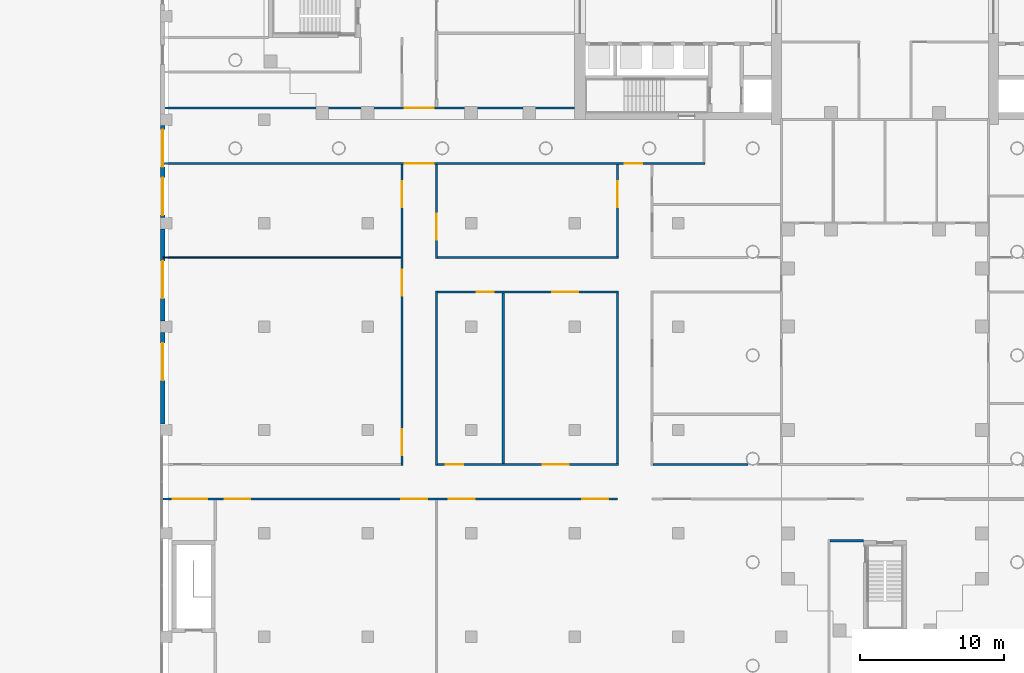
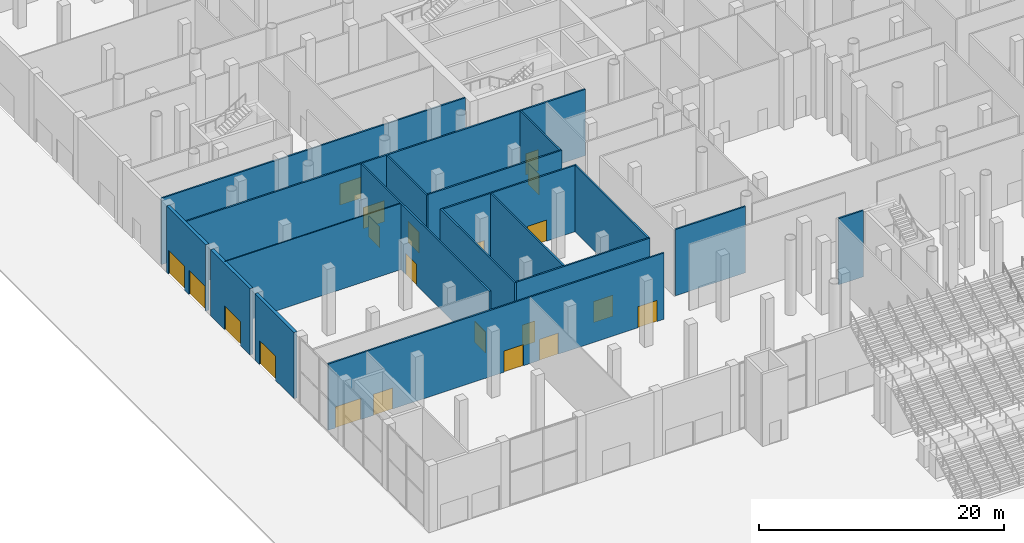
# One storey, part 16 of 44: 21 doors, 18 walls, 21 openings.
"""IFC4 building model written with IfcOpenShell, lengths in metres."""

from ifc_helpers import new_model, si_unit, direction, frame, frame_2d, origin, place, context, subcontext, project, spatial, rectangle, extrude, material, layer, layer_set, type_object, element, fill, save


model = new_model("IFC4")

# Units and contexts
model_context = context("Model", 3, precision=1e-05, world=origin(), true_north=direction((0.0, 1.0)))
body_context = subcontext(model_context, "Body", "Model", "MODEL_VIEW")
ifc_project = project(units=[si_unit("LENGTHUNIT", "METRE"), si_unit("AREAUNIT", "SQUARE_METRE"), si_unit("VOLUMEUNIT", "CUBIC_METRE"), si_unit("PLANEANGLEUNIT", "RADIAN"), si_unit("MASSUNIT", "GRAM", prefix="KILO")], contexts=[model_context])

# Site, building, storey
site_placement = place(None, origin())
site = spatial("IfcSite", under=ifc_project, at=site_placement, CompositionType="ELEMENT")
building_placement = place(site_placement, origin())
building = spatial("IfcBuilding", under=site, at=building_placement, Name="Fustian Cross Tower", CompositionType="ELEMENT")
storey_placement = place(building_placement, origin())
storey = spatial("IfcBuildingStorey", under=building, at=storey_placement, Name="L00", CompositionType="ELEMENT", Elevation=0.0)

# Wall, openings, doors
ifc_material_1 = material(Name="Plasterboard on steel stud", Category="steel")
ifc_layer_1 = layer(ifc_material_1, 0.14990234375)
ifc_layer_set_1 = layer_set([ifc_layer_1], Name="Plasterboard on steel stud")
wall_type_1 = type_object("IfcWallType", Name="COMPARTMENT WALL 150 EI 60", PredefinedType="PARTITIONING", material=ifc_layer_set_1)
wall_1_placement = place(storey_placement, frame((-50.219970703125, -33.60009765625, 0.0), z_axis=(0.0, 0.0, 1.0), x_axis=(1.0, 0.0, 0.0)))
wall_1 = element("IfcWall", 1, at=wall_1_placement, inside=storey, type_object=wall_type_1, Name="Partition 1", PredefinedType="PARTITIONING", context=body_context, shape_type="SweptSolid", body=[
    extrude(rectangle(XDim=31.619873046875, YDim=0.14990234375, at=frame_2d((15.81005859375, 0.0))), origin(), (0.0, 0.0, 1.0), 6.60009765625),
])
opening_1_placement = place(wall_1_placement, frame((0.669921875, 0.0, 0.0)))
opening_1 = element("IfcOpeningElement", 2, at=opening_1_placement, cuts=wall_1, Name="Opening D02032", PredefinedType="OPENING", context=body_context, shape_type="SweptSolid", body=[
    extrude(rectangle(XDim=2.39990234375, YDim=2.10009765625, at=frame_2d((1.199951171875, 1.050048828125))), frame((0.0, 0.0849609375, 0.0), z_axis=(0.0, -1.0, 0.0), x_axis=(1.0, 0.0, 0.0)), (0.0, 0.0, 1.0), 0.169921875),
])
opening_2_placement = place(wall_1_placement, frame((19.8701171875, 0.0, 0.0)))
opening_2 = element("IfcOpeningElement", 3, at=opening_2_placement, cuts=wall_1, Name="Opening D02112", PredefinedType="OPENING", context=body_context, shape_type="SweptSolid", body=[
    extrude(rectangle(XDim=1.800048828125, YDim=2.10009765625, at=frame_2d((0.89990234375, 1.050048828125))), frame((0.0, 0.0849609375, 0.0), z_axis=(0.0, -1.0, 0.0), x_axis=(1.0, 0.0, 0.0)), (0.0, 0.0, 1.0), 0.169921875),
])
opening_3_placement = place(wall_1_placement, frame((29.169921875, 0.0, 0.0)))
opening_3 = element("IfcOpeningElement", 4, at=opening_3_placement, cuts=wall_1, Name="Opening D02113", PredefinedType="OPENING", context=body_context, shape_type="SweptSolid", body=[
    extrude(rectangle(XDim=1.800048828125, YDim=2.10009765625, at=frame_2d((0.89990234375, 1.050048828125))), frame((0.0, 0.0849609375, 0.0), z_axis=(0.0, -1.0, 0.0), x_axis=(1.0, 0.0, 0.0)), (0.0, 0.0, 1.0), 0.169921875),
])
opening_4_placement = place(wall_1_placement, frame((4.27001953125, 0.0, 0.0)))
opening_4 = element("IfcOpeningElement", 5, at=opening_4_placement, cuts=wall_1, Name="Opening D02114", PredefinedType="OPENING", context=body_context, shape_type="SweptSolid", body=[
    extrude(rectangle(XDim=1.800048828125, YDim=2.10009765625, at=frame_2d((0.89990234375, 1.050048828125))), frame((0.0, 0.0849609375, 0.0), z_axis=(0.0, -1.0, 0.0), x_axis=(1.0, 0.0, 0.0)), (0.0, 0.0, 1.0), 0.169921875),
])
opening_5_placement = place(wall_1_placement, frame((16.570068359375, 0.0, 0.0)))
opening_5 = element("IfcOpeningElement", 6, at=opening_5_placement, cuts=wall_1, Name="Opening D02115", PredefinedType="OPENING", context=body_context, shape_type="SweptSolid", body=[
    extrude(rectangle(XDim=1.800048828125, YDim=2.10009765625, at=frame_2d((0.89990234375, 1.050048828125))), frame((0.0, 0.0849609375, 0.0), z_axis=(0.0, -1.0, 0.0), x_axis=(1.0, 0.0, 0.0)), (0.0, 0.0, 1.0), 0.169921875),
])
ifc_material_2 = material(Name="Timber fire door set", Category="wood")
door_type_1 = type_object("IfcDoorType", Name="FIRE DOUBLE DOOR 1800 FD30S", OperationType="DOUBLE_DOOR_DOUBLE_SWING", PredefinedType="DOOR", material=ifc_material_2)
door_1_placement = place(opening_2_placement, origin())
door_1 = element("IfcDoor", 7, at=door_1_placement, inside=storey, type_object=door_type_1, Name="Door D02112", OperationType="DOUBLE_DOOR_DOUBLE_SWING", OverallHeight=2.10009765625, OverallWidth=1.800048828125, PredefinedType="DOOR", context=body_context, shape_type="SweptSolid", body=[
    extrude(rectangle(XDim=1.800048828125, YDim=2.10009765625, at=frame_2d((0.89990234375, 1.050048828125))), frame((0.0, 0.02490234375, 0.0), z_axis=(0.0, -1.0, 0.0), x_axis=(1.0, 0.0, 0.0)), (0.0, 0.0, 1.0), 0.050048828125),
])
fill(opening_2, door_1)
door_2_placement = place(opening_3_placement, origin())
door_2 = element("IfcDoor", 8, at=door_2_placement, inside=storey, type_object=door_type_1, Name="Door D02113", OperationType="DOUBLE_DOOR_DOUBLE_SWING", OverallHeight=2.10009765625, OverallWidth=1.800048828125, PredefinedType="DOOR", context=body_context, shape_type="SweptSolid", body=[
    extrude(rectangle(XDim=1.800048828125, YDim=2.10009765625, at=frame_2d((0.89990234375, 1.050048828125))), frame((0.0, 0.02490234375, 0.0), z_axis=(0.0, -1.0, 0.0), x_axis=(1.0, 0.0, 0.0)), (0.0, 0.0, 1.0), 0.050048828125),
])
fill(opening_3, door_2)
door_3_placement = place(opening_4_placement, origin())
door_3 = element("IfcDoor", 9, at=door_3_placement, inside=storey, type_object=door_type_1, Name="Door D02114", OperationType="DOUBLE_DOOR_DOUBLE_SWING", OverallHeight=2.10009765625, OverallWidth=1.800048828125, PredefinedType="DOOR", context=body_context, shape_type="SweptSolid", body=[
    extrude(rectangle(XDim=1.800048828125, YDim=2.10009765625, at=frame_2d((0.89990234375, 1.050048828125))), frame((0.0, 0.02490234375, 0.0), z_axis=(0.0, -1.0, 0.0), x_axis=(1.0, 0.0, 0.0)), (0.0, 0.0, 1.0), 0.050048828125),
])
fill(opening_4, door_3)
door_4_placement = place(opening_5_placement, origin())
door_4 = element("IfcDoor", 10, at=door_4_placement, inside=storey, type_object=door_type_1, Name="Door D02115", OperationType="DOUBLE_DOOR_DOUBLE_SWING", OverallHeight=2.10009765625, OverallWidth=1.800048828125, PredefinedType="DOOR", context=body_context, shape_type="SweptSolid", body=[
    extrude(rectangle(XDim=1.800048828125, YDim=2.10009765625, at=frame_2d((0.89990234375, 1.050048828125))), frame((0.0, 0.02490234375, 0.0), z_axis=(0.0, -1.0, 0.0), x_axis=(1.0, 0.0, 0.0)), (0.0, 0.0, 1.0), 0.050048828125),
])
fill(opening_5, door_4)
ifc_material_3 = material(Name="Timber fire door set", Category="wood")
door_type_2 = type_object("IfcDoorType", Name="FIRE DOUBLE DOOR 2400 FD30S", OperationType="DOUBLE_DOOR_DOUBLE_SWING", PredefinedType="DOOR", material=ifc_material_3)
door_5_placement = place(opening_1_placement, origin())
door_5 = element("IfcDoor", 11, at=door_5_placement, inside=storey, type_object=door_type_2, Name="Door D02032", OperationType="DOUBLE_DOOR_DOUBLE_SWING", OverallHeight=2.10009765625, OverallWidth=2.39990234375, PredefinedType="DOOR", context=body_context, shape_type="SweptSolid", body=[
    extrude(rectangle(XDim=2.39990234375, YDim=2.10009765625, at=frame_2d((1.199951171875, 1.050048828125))), frame((0.0, 0.02490234375, 0.0), z_axis=(0.0, -1.0, 0.0), x_axis=(1.0, 0.0, 0.0)), (0.0, 0.0, 1.0), 0.050048828125),
])
fill(opening_1, door_5)

wall_2_placement = place(storey_placement, frame((-50.219970703125, -10.25, 0.0), z_axis=(0.0, 0.0, 1.0), x_axis=(1.0, 0.0, 0.0)))
wall_2 = element("IfcWall", 12, at=wall_2_placement, inside=storey, type_object=wall_type_1, Name="Partition 4", PredefinedType="PARTITIONING", context=body_context, shape_type="SweptSolid", body=[
    extrude(rectangle(XDim=37.695068359375, YDim=0.14990234375, at=frame_2d((18.84765625, 0.0))), origin(), (0.0, 0.0, 1.0), 6.60009765625),
])
opening_6_placement = place(wall_2_placement, frame((16.820068359375, 0.0, 0.0)))
opening_6 = element("IfcOpeningElement", 13, at=opening_6_placement, cuts=wall_2, Name="Opening D02027", PredefinedType="OPENING", context=body_context, shape_type="SweptSolid", body=[
    extrude(rectangle(XDim=2.0, YDim=2.10009765625, at=frame_2d((1.0, 1.050048828125))), frame((0.0, 0.0849609375, 0.0), z_axis=(0.0, -1.0, 0.0), x_axis=(1.0, 0.0, 0.0)), (0.0, 0.0, 1.0), 0.169921875),
])
opening_7_placement = place(wall_2_placement, frame((32.1201171875, 0.0, 0.0)))
opening_7 = element("IfcOpeningElement", 14, at=opening_7_placement, cuts=wall_2, Name="Opening D02029", PredefinedType="OPENING", context=body_context, shape_type="SweptSolid", body=[
    extrude(rectangle(XDim=1.199951171875, YDim=2.10009765625, at=frame_2d((0.60009765625, 1.050048828125))), frame((0.0, 0.0849609375, 0.0), z_axis=(0.0, -1.0, 0.0), x_axis=(1.0, 0.0, 0.0)), (0.0, 0.0, 1.0), 0.169921875),
])
ifc_material_4 = material(Name="Timber fire door set", Category="wood")
door_type_3 = type_object("IfcDoorType", Name="FIRE DOUBLE DOOR 2000 FD30S", OperationType="DOUBLE_DOOR_DOUBLE_SWING", PredefinedType="DOOR", material=ifc_material_4)
door_6_placement = place(opening_6_placement, frame((2.0, 0.0, 0.0), z_axis=(0.0, 0.0, 1.0), x_axis=(-1.0, 0.0, 0.0)))
door_6 = element("IfcDoor", 15, at=door_6_placement, inside=storey, type_object=door_type_3, Name="Door D02027", OperationType="DOUBLE_DOOR_DOUBLE_SWING", OverallHeight=2.10009765625, OverallWidth=2.0, PredefinedType="DOOR", context=body_context, shape_type="SweptSolid", body=[
    extrude(rectangle(XDim=2.0, YDim=2.10009765625, at=frame_2d((1.0, 1.050048828125))), frame((0.0, 0.02490234375, 0.0), z_axis=(0.0, -1.0, 0.0), x_axis=(1.0, 0.0, 0.0)), (0.0, 0.0, 1.0), 0.050048828125),
])
fill(opening_6, door_6)
ifc_material_5 = material(Name="Timber fire door set", Category="wood")
door_type_4 = type_object("IfcDoorType", Name="FIRE SWING DOOR 1200 FD30S", OperationType="SINGLE_SWING_LEFT", PredefinedType="DOOR", material=ifc_material_5)
door_7_placement = place(opening_7_placement, frame((1.199951171875, 0.0, 0.0), z_axis=(0.0, 0.0, 1.0), x_axis=(-1.0, 0.0, 0.0)))
door_7 = element("IfcDoor", 16, at=door_7_placement, inside=storey, type_object=door_type_4, Name="Door D02029", OperationType="SINGLE_SWING_RIGHT", OverallHeight=2.10009765625, OverallWidth=1.199951171875, PredefinedType="DOOR", context=body_context, shape_type="SweptSolid", body=[
    extrude(rectangle(XDim=1.199951171875, YDim=2.10009765625, at=frame_2d((0.60009765625, 1.050048828125))), frame((0.0, 0.02490234375, 0.0), z_axis=(0.0, -1.0, 0.0), x_axis=(1.0, 0.0, 0.0)), (0.0, 0.0, 1.0), 0.050048828125),
])
fill(opening_7, door_7)

# Wall, opening, door
wall_3_placement = place(storey_placement, frame((-50.219970703125, -6.39990234375, 0.0), z_axis=(0.0, 0.0, 1.0), x_axis=(1.0, 0.0, 0.0)))
wall_3 = element("IfcWall", 17, at=wall_3_placement, inside=storey, type_object=wall_type_1, Name="Partition 5", PredefinedType="PARTITIONING", context=body_context, shape_type="SweptSolid", body=[
    extrude(rectangle(XDim=28.619873046875, YDim=0.14990234375, at=frame_2d((14.31005859375, 0.0))), origin(), (0.0, 0.0, 1.0), 6.60009765625),
])
opening_8_placement = place(wall_3_placement, frame((16.820068359375, 0.0, 0.0)))
opening_8 = element("IfcOpeningElement", 18, at=opening_8_placement, cuts=wall_3, Name="Opening D02028", PredefinedType="OPENING", context=body_context, shape_type="SweptSolid", body=[
    extrude(rectangle(XDim=2.0, YDim=2.10009765625, at=frame_2d((1.0, 1.050048828125))), frame((0.0, 0.0849609375, 0.0), z_axis=(0.0, -1.0, 0.0), x_axis=(1.0, 0.0, 0.0)), (0.0, 0.0, 1.0), 0.169921875),
])
door_8_placement = place(opening_8_placement, origin())
door_8 = element("IfcDoor", 19, at=door_8_placement, inside=storey, type_object=door_type_3, Name="Door D02028", OperationType="DOUBLE_DOOR_DOUBLE_SWING", OverallHeight=2.10009765625, OverallWidth=2.0, PredefinedType="DOOR", context=body_context, shape_type="SweptSolid", body=[
    extrude(rectangle(XDim=2.0, YDim=2.10009765625, at=frame_2d((1.0, 1.050048828125))), frame((0.0, 0.02490234375, 0.0), z_axis=(0.0, -1.0, 0.0), x_axis=(1.0, 0.0, 0.0)), (0.0, 0.0, 1.0), 0.050048828125),
])
fill(opening_8, door_8)

# Wall, openings, doors
wall_4_placement = place(storey_placement, frame((-33.60009765625, -31.27490234375, 0.0), z_axis=(0.0, 0.0, 1.0), x_axis=(0.0, 1.0, 0.0)))
wall_4 = element("IfcWall", 20, at=wall_4_placement, inside=storey, type_object=wall_type_1, Name="Partition 18", PredefinedType="PARTITIONING", context=body_context, shape_type="SweptSolid", body=[
    extrude(rectangle(XDim=20.949951171875, YDim=0.14990234375, at=frame_2d((10.47509765625, 0.0))), origin(), (0.0, 0.0, 1.0), 6.60009765625),
])
opening_9_placement = place(wall_4_placement, frame((17.97509765625, 0.0, 0.0)))
opening_9 = element("IfcOpeningElement", 21, at=opening_9_placement, cuts=wall_4, Name="Opening D02106", PredefinedType="OPENING", context=body_context, shape_type="SweptSolid", body=[
    extrude(rectangle(XDim=1.800048828125, YDim=2.10009765625, at=frame_2d((0.89990234375, 1.050048828125))), frame((0.0, 0.0849609375, 0.0), z_axis=(0.0, -1.0, 0.0), x_axis=(1.0, 0.0, 0.0)), (0.0, 0.0, 1.0), 0.169921875),
])
opening_10_placement = place(wall_4_placement, frame((0.72509765625, 0.0, 0.0)))
opening_10 = element("IfcOpeningElement", 22, at=opening_10_placement, cuts=wall_4, Name="Opening D02108", PredefinedType="OPENING", context=body_context, shape_type="SweptSolid", body=[
    extrude(rectangle(XDim=1.800048828125, YDim=2.10009765625, at=frame_2d((0.89990234375, 1.050048828125))), frame((0.0, 0.0849609375, 0.0), z_axis=(0.0, -1.0, 0.0), x_axis=(1.0, 0.0, 0.0)), (0.0, 0.0, 1.0), 0.169921875),
])
opening_11_placement = place(wall_4_placement, frame((11.824951171875, 0.0, 0.0)))
opening_11 = element("IfcOpeningElement", 23, at=opening_11_placement, cuts=wall_4, Name="Opening D02109", PredefinedType="OPENING", context=body_context, shape_type="SweptSolid", body=[
    extrude(rectangle(XDim=1.800048828125, YDim=2.10009765625, at=frame_2d((0.89990234375, 1.050048828125))), frame((0.0, 0.0849609375, 0.0), z_axis=(0.0, -1.0, 0.0), x_axis=(1.0, 0.0, 0.0)), (0.0, 0.0, 1.0), 0.169921875),
])
door_9_placement = place(opening_9_placement, frame((1.800048828125, 0.0, 0.0), z_axis=(0.0, 0.0, 1.0), x_axis=(-1.0, 0.0, 0.0)))
door_9 = element("IfcDoor", 24, at=door_9_placement, inside=storey, type_object=door_type_1, Name="Door D02106", OperationType="DOUBLE_DOOR_DOUBLE_SWING", OverallHeight=2.10009765625, OverallWidth=1.800048828125, PredefinedType="DOOR", context=body_context, shape_type="SweptSolid", body=[
    extrude(rectangle(XDim=1.800048828125, YDim=2.10009765625, at=frame_2d((0.89990234375, 1.050048828125))), frame((0.0, 0.02490234375, 0.0), z_axis=(0.0, -1.0, 0.0), x_axis=(1.0, 0.0, 0.0)), (0.0, 0.0, 1.0), 0.050048828125),
])
fill(opening_9, door_9)
door_10_placement = place(opening_10_placement, frame((1.800048828125, 0.0, 0.0), z_axis=(0.0, 0.0, 1.0), x_axis=(-1.0, 0.0, 0.0)))
door_10 = element("IfcDoor", 25, at=door_10_placement, inside=storey, type_object=door_type_1, Name="Door D02108", OperationType="DOUBLE_DOOR_DOUBLE_SWING", OverallHeight=2.10009765625, OverallWidth=1.800048828125, PredefinedType="DOOR", context=body_context, shape_type="SweptSolid", body=[
    extrude(rectangle(XDim=1.800048828125, YDim=2.10009765625, at=frame_2d((0.89990234375, 1.050048828125))), frame((0.0, 0.02490234375, 0.0), z_axis=(0.0, -1.0, 0.0), x_axis=(1.0, 0.0, 0.0)), (0.0, 0.0, 1.0), 0.050048828125),
])
fill(opening_10, door_10)
door_11_placement = place(opening_11_placement, frame((1.800048828125, 0.0, 0.0), z_axis=(0.0, 0.0, 1.0), x_axis=(-1.0, 0.0, 0.0)))
door_11 = element("IfcDoor", 26, at=door_11_placement, inside=storey, type_object=door_type_1, Name="Door D02109", OperationType="DOUBLE_DOOR_DOUBLE_SWING", OverallHeight=2.10009765625, OverallWidth=1.800048828125, PredefinedType="DOOR", context=body_context, shape_type="SweptSolid", body=[
    extrude(rectangle(XDim=1.800048828125, YDim=2.10009765625, at=frame_2d((0.89990234375, 1.050048828125))), frame((0.0, 0.02490234375, 0.0), z_axis=(0.0, -1.0, 0.0), x_axis=(1.0, 0.0, 0.0)), (0.0, 0.0, 1.0), 0.050048828125),
])
fill(opening_11, door_11)

# Wall
wall_5_placement = place(storey_placement, frame((-31.199951171875, -31.27490234375, 0.0), z_axis=(0.0, 0.0, 1.0), x_axis=(0.0, 1.0, 0.0)))
element("IfcWall", 27, at=wall_5_placement, inside=storey, type_object=wall_type_1, Name="Partition 23", PredefinedType="PARTITIONING", context=body_context, shape_type="SweptSolid", body=[
    extrude(rectangle(XDim=12.14990234375, YDim=0.14990234375, at=frame_2d((6.074951171875, 0.0))), origin(), (0.0, 0.0, 1.0), 6.60009765625),
])

# Wall, openings, doors
wall_6_placement = place(storey_placement, frame((-31.125, -31.199951171875, 0.0), z_axis=(0.0, 0.0, 1.0), x_axis=(1.0, 0.0, 0.0)))
wall_6 = element("IfcWall", 28, at=wall_6_placement, inside=storey, type_object=wall_type_1, Name="Partition 24", PredefinedType="PARTITIONING", context=body_context, shape_type="SweptSolid", body=[
    extrude(rectangle(XDim=12.60009765625, YDim=0.14990234375, at=frame_2d((6.300048828125, 0.0))), origin(), (0.0, 0.0, 1.0), 6.60009765625),
])
opening_12_placement = place(wall_6_placement, frame((0.574951171875, 0.0, 0.0)))
opening_12 = element("IfcOpeningElement", 29, at=opening_12_placement, cuts=wall_6, Name="Opening D02102", PredefinedType="OPENING", context=body_context, shape_type="SweptSolid", body=[
    extrude(rectangle(XDim=1.199951171875, YDim=2.10009765625, at=frame_2d((0.60009765625, 1.050048828125))), frame((0.0, 0.0849609375, 0.0), z_axis=(0.0, -1.0, 0.0), x_axis=(1.0, 0.0, 0.0)), (0.0, 0.0, 1.0), 0.169921875),
])
opening_13_placement = place(wall_6_placement, frame((7.318115234375, 0.0, 0.0)))
opening_13 = element("IfcOpeningElement", 30, at=opening_13_placement, cuts=wall_6, Name="Opening D02104", PredefinedType="OPENING", context=body_context, shape_type="SweptSolid", body=[
    extrude(rectangle(XDim=1.800048828125, YDim=2.10009765625, at=frame_2d((0.89990234375, 1.050048828125))), frame((0.0, 0.0849609375, 0.0), z_axis=(0.0, -1.0, 0.0), x_axis=(1.0, 0.0, 0.0)), (0.0, 0.0, 1.0), 0.169921875),
])
door_12_placement = place(opening_13_placement, frame((1.800048828125, 0.0, 0.0), z_axis=(0.0, 0.0, 1.0), x_axis=(-1.0, 0.0, 0.0)))
door_12 = element("IfcDoor", 31, at=door_12_placement, inside=storey, type_object=door_type_1, Name="Door D02104", OperationType="DOUBLE_DOOR_DOUBLE_SWING", OverallHeight=2.10009765625, OverallWidth=1.800048828125, PredefinedType="DOOR", context=body_context, shape_type="SweptSolid", body=[
    extrude(rectangle(XDim=1.800048828125, YDim=2.10009765625, at=frame_2d((0.89990234375, 1.050048828125))), frame((0.0, 0.02490234375, 0.0), z_axis=(0.0, -1.0, 0.0), x_axis=(1.0, 0.0, 0.0)), (0.0, 0.0, 1.0), 0.050048828125),
])
fill(opening_13, door_12)
door_13_placement = place(opening_12_placement, origin())
door_13 = element("IfcDoor", 32, at=door_13_placement, inside=storey, type_object=door_type_4, Name="Door D02102", OperationType="SINGLE_SWING_LEFT", OverallHeight=2.10009765625, OverallWidth=1.199951171875, PredefinedType="DOOR", context=body_context, shape_type="SweptSolid", body=[
    extrude(rectangle(XDim=1.199951171875, YDim=2.10009765625, at=frame_2d((0.60009765625, 1.050048828125))), frame((0.0, 0.02490234375, 0.0), z_axis=(0.0, -1.0, 0.0), x_axis=(1.0, 0.0, 0.0)), (0.0, 0.0, 1.0), 0.050048828125),
])
fill(opening_12, door_13)

wall_7_placement = place(storey_placement, frame((-31.125, -19.199951171875, 0.0), z_axis=(0.0, 0.0, 1.0), x_axis=(1.0, 0.0, 0.0)))
wall_7 = element("IfcWall", 33, at=wall_7_placement, inside=storey, type_object=wall_type_1, Name="Partition 25", PredefinedType="PARTITIONING", context=body_context, shape_type="SweptSolid", body=[
    extrude(rectangle(XDim=12.60009765625, YDim=0.14990234375, at=frame_2d((6.300048828125, 0.0))), origin(), (0.0, 0.0, 1.0), 6.60009765625),
])
opening_14_placement = place(wall_7_placement, frame((2.718017578125, 0.0, 0.0)))
opening_14 = element("IfcOpeningElement", 34, at=opening_14_placement, cuts=wall_7, Name="Opening D02103", PredefinedType="OPENING", context=body_context, shape_type="SweptSolid", body=[
    extrude(rectangle(XDim=1.199951171875, YDim=2.10009765625, at=frame_2d((0.60009765625, 1.050048828125))), frame((0.0, 0.0849609375, 0.0), z_axis=(0.0, -1.0, 0.0), x_axis=(1.0, 0.0, 0.0)), (0.0, 0.0, 1.0), 0.169921875),
])
opening_15_placement = place(wall_7_placement, frame((7.97509765625, 0.0, 0.0)))
opening_15 = element("IfcOpeningElement", 35, at=opening_15_placement, cuts=wall_7, Name="Opening D02105", PredefinedType="OPENING", context=body_context, shape_type="SweptSolid", body=[
    extrude(rectangle(XDim=1.800048828125, YDim=2.10009765625, at=frame_2d((0.89990234375, 1.050048828125))), frame((0.0, 0.0849609375, 0.0), z_axis=(0.0, -1.0, 0.0), x_axis=(1.0, 0.0, 0.0)), (0.0, 0.0, 1.0), 0.169921875),
])
door_14_placement = place(opening_15_placement, origin())
door_14 = element("IfcDoor", 36, at=door_14_placement, inside=storey, type_object=door_type_1, Name="Door D02105", OperationType="DOUBLE_DOOR_DOUBLE_SWING", OverallHeight=2.10009765625, OverallWidth=1.800048828125, PredefinedType="DOOR", context=body_context, shape_type="SweptSolid", body=[
    extrude(rectangle(XDim=1.800048828125, YDim=2.10009765625, at=frame_2d((0.89990234375, 1.050048828125))), frame((0.0, 0.02490234375, 0.0), z_axis=(0.0, -1.0, 0.0), x_axis=(1.0, 0.0, 0.0)), (0.0, 0.0, 1.0), 0.050048828125),
])
fill(opening_15, door_14)
door_15_placement = place(opening_14_placement, frame((1.199951171875, 0.0, 0.0), z_axis=(0.0, 0.0, 1.0), x_axis=(-1.0, 0.0, 0.0)))
door_15 = element("IfcDoor", 37, at=door_15_placement, inside=storey, type_object=door_type_4, Name="Door D02103", OperationType="SINGLE_SWING_LEFT", OverallHeight=2.10009765625, OverallWidth=1.199951171875, PredefinedType="DOOR", context=body_context, shape_type="SweptSolid", body=[
    extrude(rectangle(XDim=1.199951171875, YDim=2.10009765625, at=frame_2d((0.60009765625, 1.050048828125))), frame((0.0, 0.02490234375, 0.0), z_axis=(0.0, -1.0, 0.0), x_axis=(1.0, 0.0, 0.0)), (0.0, 0.0, 1.0), 0.050048828125),
])
fill(opening_14, door_15)

# Wall, opening, door
wall_8_placement = place(storey_placement, frame((-31.199951171875, -16.875, 0.0), z_axis=(0.0, 0.0, 1.0), x_axis=(0.0, 1.0, 0.0)))
wall_8 = element("IfcWall", 38, at=wall_8_placement, inside=storey, type_object=wall_type_1, Name="Partition 26", PredefinedType="PARTITIONING", context=body_context, shape_type="SweptSolid", body=[
    extrude(rectangle(XDim=6.550048828125, YDim=0.14990234375, at=frame_2d((3.27490234375, 0.0))), origin(), (0.0, 0.0, 1.0), 6.60009765625),
])
opening_16_placement = place(wall_8_placement, frame((1.324951171875, 0.0, 0.0)))
opening_16 = element("IfcOpeningElement", 39, at=opening_16_placement, cuts=wall_8, Name="Opening D02095", PredefinedType="OPENING", context=body_context, shape_type="SweptSolid", body=[
    extrude(rectangle(XDim=1.800048828125, YDim=2.10009765625, at=frame_2d((0.89990234375, 1.050048828125))), frame((0.0, 0.0849609375, 0.0), z_axis=(0.0, -1.0, 0.0), x_axis=(1.0, 0.0, 0.0)), (0.0, 0.0, 1.0), 0.169921875),
])
ifc_material_6 = material(Name="Timber fire door set", Category="wood")
door_type_5 = type_object("IfcDoorType", Name="FIRE DOUBLE DOOR 1800 FD60S", OperationType="DOUBLE_DOOR_DOUBLE_SWING", PredefinedType="DOOR", material=ifc_material_6)
door_16_placement = place(opening_16_placement, origin())
door_16 = element("IfcDoor", 40, at=door_16_placement, inside=storey, type_object=door_type_5, Name="Door D02095", OperationType="DOUBLE_DOOR_DOUBLE_SWING", OverallHeight=2.10009765625, OverallWidth=1.800048828125, PredefinedType="DOOR", context=body_context, shape_type="SweptSolid", body=[
    extrude(rectangle(XDim=1.800048828125, YDim=2.10009765625, at=frame_2d((0.89990234375, 1.050048828125))), frame((0.0, 0.02490234375, 0.0), z_axis=(0.0, -1.0, 0.0), x_axis=(1.0, 0.0, 0.0)), (0.0, 0.0, 1.0), 0.050048828125),
])
fill(opening_16, door_16)

# Walls
wall_9_placement = place(storey_placement, frame((-31.125, -16.800048828125, 0.0), z_axis=(0.0, 0.0, 1.0), x_axis=(1.0, 0.0, 0.0)))
element("IfcWall", 41, at=wall_9_placement, inside=storey, type_object=wall_type_1, Name="Partition 27", PredefinedType="PARTITIONING", context=body_context, shape_type="SweptSolid", body=[
    extrude(rectangle(XDim=12.60009765625, YDim=0.14990234375, at=frame_2d((6.300048828125, 0.0))), origin(), (0.0, 0.0, 1.0), 6.60009765625),
])
for number, where, z_axis, x_axis, name in (
    (42, (-26.556884765625, -31.125, 0.0), (0.0, 0.0, 1.0), (0.0, 1.0, 0.0), "Partition 38"),
    (43, (-18.60009765625, -31.125, 0.0), (0.0, 0.0, 1.0), (0.0, 1.0, 0.0), "Partition 39"),
):
    element("IfcWall", number, at=place(storey_placement, frame(where, z_axis=z_axis, x_axis=x_axis)), inside=storey, type_object=wall_type_1, Name=name, PredefinedType="PARTITIONING", context=body_context, shape_type="SweptSolid", body=[
        extrude(rectangle(XDim=11.85009765625, YDim=0.14990234375, at=frame_2d((5.925048828125, 0.0))), origin(), (0.0, 0.0, 1.0), 6.60009765625),
    ])

# Wall, opening, door
wall_10_placement = place(storey_placement, frame((-18.60009765625, -16.72509765625, 0.0), z_axis=(0.0, 0.0, 1.0), x_axis=(0.0, 1.0, 0.0)))
wall_10 = element("IfcWall", 44, at=wall_10_placement, inside=storey, type_object=wall_type_1, Name="Partition 40", PredefinedType="PARTITIONING", context=body_context, shape_type="SweptSolid", body=[
    extrude(rectangle(XDim=6.400146484375, YDim=0.14990234375, at=frame_2d((3.2001953125, 0.0))), origin(), (0.0, 0.0, 1.0), 6.60009765625),
])
opening_17_placement = place(wall_10_placement, frame((3.425048828125, 0.0, 0.0)))
opening_17 = element("IfcOpeningElement", 45, at=opening_17_placement, cuts=wall_10, Name="Opening D02096", PredefinedType="OPENING", context=body_context, shape_type="SweptSolid", body=[
    extrude(rectangle(XDim=1.800048828125, YDim=2.10009765625, at=frame_2d((0.89990234375, 1.050048828125))), frame((0.0, 0.0849609375, 0.0), z_axis=(0.0, -1.0, 0.0), x_axis=(1.0, 0.0, 0.0)), (0.0, 0.0, 1.0), 0.169921875),
])
door_17_placement = place(opening_17_placement, frame((1.800048828125, 0.0, 0.0), z_axis=(0.0, 0.0, 1.0), x_axis=(-1.0, 0.0, 0.0)))
door_17 = element("IfcDoor", 46, at=door_17_placement, inside=storey, type_object=door_type_5, Name="Door D02096", OperationType="DOUBLE_DOOR_DOUBLE_SWING", OverallHeight=2.10009765625, OverallWidth=1.800048828125, PredefinedType="DOOR", context=body_context, shape_type="SweptSolid", body=[
    extrude(rectangle(XDim=1.800048828125, YDim=2.10009765625, at=frame_2d((0.89990234375, 1.050048828125))), frame((0.0, 0.02490234375, 0.0), z_axis=(0.0, -1.0, 0.0), x_axis=(1.0, 0.0, 0.0)), (0.0, 0.0, 1.0), 0.050048828125),
])
fill(opening_17, door_17)

# Walls
wall_11_placement = place(storey_placement, frame((-16.125, -31.199951171875, 0.0), z_axis=(0.0, 0.0, 1.0), x_axis=(1.0, 0.0, 0.0)))
element("IfcWall", 47, at=wall_11_placement, inside=storey, type_object=wall_type_1, Name="Partition 46", PredefinedType="PARTITIONING", context=body_context, shape_type="SweptSolid", body=[
    extrude(rectangle(XDim=6.603515625, YDim=0.14990234375, at=frame_2d((3.3017578125, 0.0))), origin(), (0.0, 0.0, 1.0), 6.60009765625),
])
wall_12_placement = place(storey_placement, frame((-3.824951171875, -36.5, 0.0), z_axis=(0.0, 0.0, 1.0), x_axis=(1.0, 0.0, 0.0)))
element("IfcWall", 48, at=wall_12_placement, inside=storey, type_object=wall_type_1, Name="Partition 70", PredefinedType="PARTITIONING", context=body_context, shape_type="SweptSolid", body=[
    extrude(rectangle(XDim=2.324951171875, YDim=0.14990234375, at=frame_2d((1.16259765625, 0.0))), origin(), (0.0, 0.0, 1.0), 6.60009765625),
])

# Wall, openings, doors
ifc_material_7 = material(Name="Dark rainscreen cladding on blockwork", Category="masonry")
ifc_layer_2 = layer(ifc_material_7, 0.300048828125)
ifc_layer_set_2 = layer_set([ifc_layer_2], Name="Dark rainscreen cladding on blockwork")
wall_type_2 = type_object("IfcWallType", Name="EXTERNAL WALL 300 CLADDING", PredefinedType="SOLIDWALL", material=ifc_layer_set_2)
wall_13_placement = place(storey_placement, frame((-50.25, -7.60009765625, 0.0), z_axis=(0.0, 0.0, 1.0), x_axis=(0.0, -1.0, 0.0)))
wall_13 = element("IfcWall", 49, at=wall_13_placement, inside=storey, type_object=wall_type_2, Name="External wall W9", PredefinedType="SOLIDWALL", context=body_context, shape_type="SweptSolid", body=[
    extrude(rectangle(XDim=6.39990234375, YDim=0.300048828125, at=frame_2d((3.199951171875, 0.0))), origin(), (0.0, 0.0, 1.0), 6.60009765625),
])
opening_18_placement = place(wall_13_placement, frame((0.300048828125, 0.0, 0.0)))
opening_18 = element("IfcOpeningElement", 50, at=opening_18_placement, cuts=wall_13, Name="Opening EDP50", PredefinedType="OPENING", context=body_context, shape_type="SweptSolid", body=[
    extrude(rectangle(XDim=2.60009765625, YDim=2.39990234375, at=frame_2d((1.300048828125, 1.199951171875))), frame((0.0, 0.159912109375, 0.0), z_axis=(0.0, -1.0, 0.0), x_axis=(1.0, 0.0, 0.0)), (0.0, 0.0, 1.0), 0.320068359375),
])
opening_19_placement = place(wall_13_placement, frame((3.64990234375, 0.0, 0.0)))
opening_19 = element("IfcOpeningElement", 51, at=opening_19_placement, cuts=wall_13, Name="Opening EDP51", PredefinedType="OPENING", context=body_context, shape_type="SweptSolid", body=[
    extrude(rectangle(XDim=2.60009765625, YDim=2.39990234375, at=frame_2d((1.300048828125, 1.199951171875))), frame((0.0, 0.159912109375, 0.0), z_axis=(0.0, -1.0, 0.0), x_axis=(1.0, 0.0, 0.0)), (0.0, 0.0, 1.0), 0.320068359375),
])
ifc_material_8 = material(Name="Aluminium and glass", Category="aluminium")
door_type_6 = type_object("IfcDoorType", Name="ENTRANCE DOOR 2600", OperationType="DOUBLE_DOOR_SINGLE_SWING", PredefinedType="DOOR", material=ifc_material_8)
door_18_placement = place(opening_18_placement, frame((2.60009765625, 0.0, 0.0), z_axis=(0.0, 0.0, 1.0), x_axis=(-1.0, 0.0, 0.0)))
door_18 = element("IfcDoor", 52, at=door_18_placement, inside=storey, type_object=door_type_6, Name="Exit door 50", OperationType="DOUBLE_DOOR_DOUBLE_SWING", OverallHeight=2.39990234375, OverallWidth=2.60009765625, PredefinedType="DOOR", context=body_context, shape_type="SweptSolid", body=[
    extrude(rectangle(XDim=2.60009765625, YDim=2.39990234375, at=frame_2d((1.300048828125, 1.199951171875))), frame((0.0, 0.02490234375, 0.0), z_axis=(0.0, -1.0, 0.0), x_axis=(1.0, 0.0, 0.0)), (0.0, 0.0, 1.0), 0.050048828125),
])
fill(opening_18, door_18)
door_19_placement = place(opening_19_placement, frame((2.60009765625, 0.0, 0.0), z_axis=(0.0, 0.0, 1.0), x_axis=(-1.0, 0.0, 0.0)))
door_19 = element("IfcDoor", 53, at=door_19_placement, inside=storey, type_object=door_type_6, Name="Exit door 51", OperationType="DOUBLE_DOOR_DOUBLE_SWING", OverallHeight=2.39990234375, OverallWidth=2.60009765625, PredefinedType="DOOR", context=body_context, shape_type="SweptSolid", body=[
    extrude(rectangle(XDim=2.60009765625, YDim=2.39990234375, at=frame_2d((1.300048828125, 1.199951171875))), frame((0.0, 0.02490234375, 0.0), z_axis=(0.0, -1.0, 0.0), x_axis=(1.0, 0.0, 0.0)), (0.0, 0.0, 1.0), 0.050048828125),
])
fill(opening_19, door_19)

# Wall, opening, door
wall_14_placement = place(storey_placement, frame((-50.25, -14.800048828125, 0.0), z_axis=(0.0, 0.0, 1.0), x_axis=(0.0, -1.0, 0.0)))
wall_14 = element("IfcWall", 54, at=wall_14_placement, inside=storey, type_object=wall_type_2, Name="External wall W10", PredefinedType="SOLIDWALL", context=body_context, shape_type="SweptSolid", body=[
    extrude(rectangle(XDim=6.39990234375, YDim=0.300048828125, at=frame_2d((3.199951171875, 0.0))), origin(), (0.0, 0.0, 1.0), 6.60009765625),
])
opening_20_placement = place(wall_14_placement, frame((2.25, 0.0, 0.0)))
opening_20 = element("IfcOpeningElement", 55, at=opening_20_placement, cuts=wall_14, Name="Opening EDP52", PredefinedType="OPENING", context=body_context, shape_type="SweptSolid", body=[
    extrude(rectangle(XDim=2.60009765625, YDim=2.39990234375, at=frame_2d((1.300048828125, 1.199951171875))), frame((0.0, 0.159912109375, 0.0), z_axis=(0.0, -1.0, 0.0), x_axis=(1.0, 0.0, 0.0)), (0.0, 0.0, 1.0), 0.320068359375),
])
door_20_placement = place(opening_20_placement, frame((2.60009765625, 0.0, 0.0), z_axis=(0.0, 0.0, 1.0), x_axis=(-1.0, 0.0, 0.0)))
door_20 = element("IfcDoor", 56, at=door_20_placement, inside=storey, type_object=door_type_6, Name="Exit door 52", OperationType="DOUBLE_DOOR_DOUBLE_SWING", OverallHeight=2.39990234375, OverallWidth=2.60009765625, PredefinedType="DOOR", context=body_context, shape_type="SweptSolid", body=[
    extrude(rectangle(XDim=2.60009765625, YDim=2.39990234375, at=frame_2d((1.300048828125, 1.199951171875))), frame((0.0, 0.02490234375, 0.0), z_axis=(0.0, -1.0, 0.0), x_axis=(1.0, 0.0, 0.0)), (0.0, 0.0, 1.0), 0.050048828125),
])
fill(opening_20, door_20)

wall_15_placement = place(storey_placement, frame((-50.25, -22.0, 0.0), z_axis=(0.0, 0.0, 1.0), x_axis=(0.0, -1.0, 0.0)))
wall_15 = element("IfcWall", 57, at=wall_15_placement, inside=storey, type_object=wall_type_2, Name="External wall W11", PredefinedType="SOLIDWALL", context=body_context, shape_type="SweptSolid", body=[
    extrude(rectangle(XDim=6.39990234375, YDim=0.300048828125, at=frame_2d((3.199951171875, 0.0))), origin(), (0.0, 0.0, 1.0), 6.60009765625),
])
opening_21_placement = place(wall_15_placement, frame((0.75, 0.0, 0.0)))
opening_21 = element("IfcOpeningElement", 58, at=opening_21_placement, cuts=wall_15, Name="Opening EDP53", PredefinedType="OPENING", context=body_context, shape_type="SweptSolid", body=[
    extrude(rectangle(XDim=2.60009765625, YDim=2.39990234375, at=frame_2d((1.300048828125, 1.199951171875))), frame((0.0, 0.159912109375, 0.0), z_axis=(0.0, -1.0, 0.0), x_axis=(1.0, 0.0, 0.0)), (0.0, 0.0, 1.0), 0.320068359375),
])
door_21_placement = place(opening_21_placement, frame((2.60009765625, 0.0, 0.0), z_axis=(0.0, 0.0, 1.0), x_axis=(-1.0, 0.0, 0.0)))
door_21 = element("IfcDoor", 59, at=door_21_placement, inside=storey, type_object=door_type_6, Name="Exit door 53", OperationType="DOUBLE_DOOR_DOUBLE_SWING", OverallHeight=2.39990234375, OverallWidth=2.60009765625, PredefinedType="DOOR", context=body_context, shape_type="SweptSolid", body=[
    extrude(rectangle(XDim=2.60009765625, YDim=2.39990234375, at=frame_2d((1.300048828125, 1.199951171875))), frame((0.0, 0.02490234375, 0.0), z_axis=(0.0, -1.0, 0.0), x_axis=(1.0, 0.0, 0.0)), (0.0, 0.0, 1.0), 0.050048828125),
])
fill(opening_21, door_21)

# Wall
ifc_material_9 = material(Name="Plasterboard on steel stud", Category="steel")
ifc_layer_3 = layer(ifc_material_9, 0.10009765625)
ifc_layer_set_3 = layer_set([ifc_layer_3], Name="Plasterboard on steel stud")
wall_type_3 = type_object("IfcWallType", Name="PARTITION 100 STUD", PredefinedType="PARTITIONING", material=ifc_layer_set_3)
wall_16_placement = place(storey_placement, frame((-50.219970703125, -16.800048828125, 0.0), z_axis=(0.0, 0.0, 1.0), x_axis=(1.0, 0.0, 0.0)))
element("IfcWall", 60, at=wall_16_placement, inside=storey, type_object=wall_type_3, Name="Partition 3", PredefinedType="PARTITIONING", context=body_context, shape_type="SweptSolid", body=[
    extrude(rectangle(XDim=16.544921875, YDim=0.10009765625, at=frame_2d((8.2724609375, 0.0))), origin(), (0.0, 0.0, 1.0), 6.60009765625),
])

save(model, "model.ifc")
